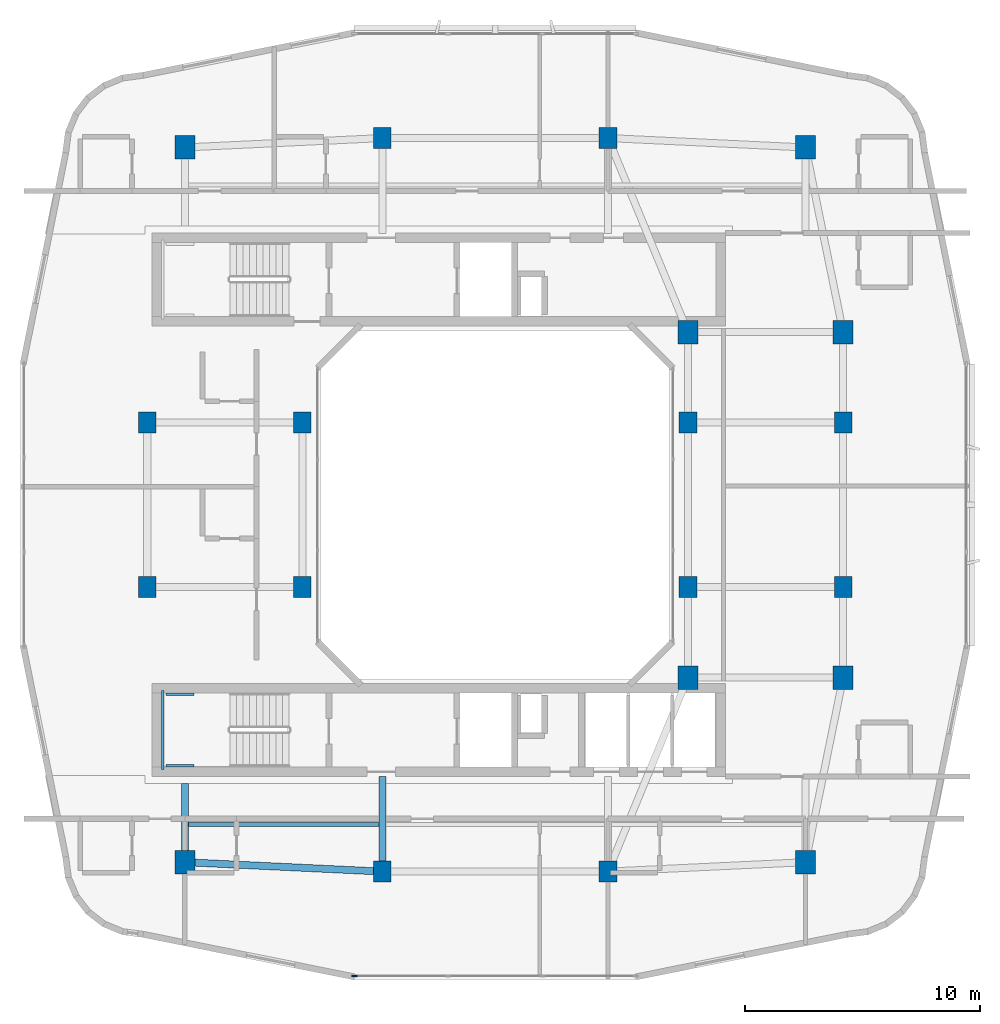
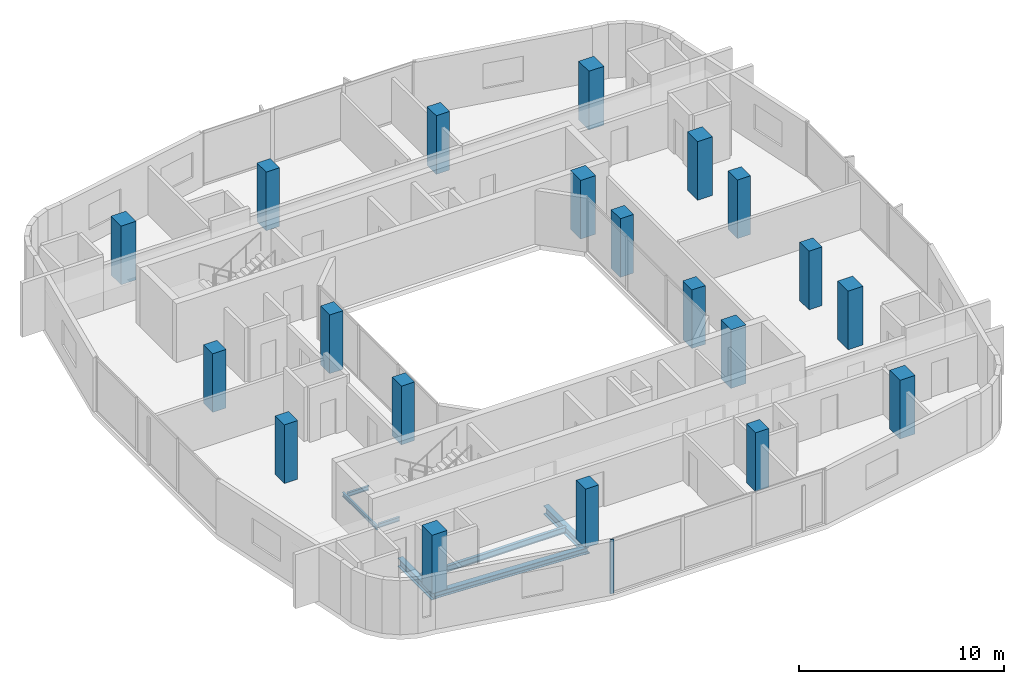
# One storey, part 1 of 14: 20 columns, 7 beams, 1 member, 1 element without a shape of its own.
"""IFC4 building model written with IfcOpenShell, lengths in metres."""

from ifc_helpers import new_model, si_unit, derived_unit, direction, frame, origin, origin_2d, place, context, subcontext, project, spatial, rectangle, i_section, extrude, material, layer, layer_set, material_profile, profile_set, type_object, element, aggregate, save


model = new_model("IFC4")

# Units and contexts
model_context = context("Model", 3, precision=1e-05, world=origin(), true_north=direction((0.0, 1.0)))
body_context = subcontext(model_context, "Body", "Model", "MODEL_VIEW")
ifc_project = project(units=[si_unit("LENGTHUNIT", "METRE"), si_unit("AREAUNIT", "SQUARE_METRE"), si_unit("VOLUMEUNIT", "CUBIC_METRE"), si_unit("PLANEANGLEUNIT", "RADIAN"), si_unit("MASSUNIT", "GRAM", prefix="KILO"), derived_unit("THERMALTRANSMITTANCEUNIT", [(si_unit("POWERUNIT", "WATT"), 1), (si_unit("LENGTHUNIT", "METRE"), -2), (si_unit("THERMODYNAMICTEMPERATUREUNIT", "KELVIN"), -1)])], contexts=[model_context])

# Site, building, storey
site_placement = place(None, origin())
site = spatial("IfcSite", under=ifc_project, at=site_placement, CompositionType="ELEMENT")
building_placement = place(site_placement, origin())
building = spatial("IfcBuilding", under=site, at=building_placement, Name="Kivonza Crest Hotel", CompositionType="ELEMENT")
storey_placement = place(building_placement, frame((0.0, 0.0, 138.0)))
storey = spatial("IfcBuildingStorey", under=building, at=storey_placement, Name="L37", CompositionType="ELEMENT", Elevation=138.0)

# Columns
ifc_material_1 = material(Name="Concrete C50/60", Category="concrete")
ifc_material_profile_1 = material_profile(ifc_material_1, rectangle(XDim=0.85009765625, YDim=1.0, at=origin_2d()), Name="RC 1000x850")
ifc_profile_set_1 = profile_set([ifc_material_profile_1], Name="Concrete C50/60")
column_type_1 = type_object("IfcColumnType", Name="CL-RC-1000x850", PredefinedType="COLUMN", material=ifc_profile_set_1)
for number, where, z_axis, x_axis, name in (
    (1, (7.800048828125, 9.800048828125, 0.0), (0.0, 0.0, 1.0), (1.0, 0.0, 0.0), "Tower T1 L37 column SW"),
    (2, (34.199951171875, 9.800048828125, 0.0), (0.0, 0.0, 1.0), (1.0, 0.0, 0.0), "Tower T1 L37 column SE"),
    (3, (34.199951171875, 40.199951171875, 0.0), (0.0, 0.0, 1.0), (1.0, 0.0, 0.0), "Tower T1 L37 column NE"),
    (4, (7.800048828125, 40.199951171875, 0.0), (0.0, 0.0, 1.0), (1.0, 0.0, 0.0), "Tower T1 L37 column NW"),
    (5, (35.800048828125, 17.64990234375, 0.0), (0.0, 0.0, 1.0), (1.0, 0.0, 0.0), "Tower T1 L37 column PSE"),
    (6, (35.800048828125, 32.35009765625, 0.0), (0.0, 0.0, 1.0), (1.0, 0.0, 0.0), "Tower T1 L37 column PNE"),
    (7, (29.199951171875, 17.64990234375, 0.0), (0.0, 0.0, 1.0), (1.0, 0.0, 0.0), "Tower T1 L37 column TSE"),
    (8, (29.199951171875, 32.35009765625, 0.0), (0.0, 0.0, 1.0), (1.0, 0.0, 0.0), "Tower T1 L37 column TNE"),
):
    element("IfcColumn", number, at=place(storey_placement, frame(where, z_axis=z_axis, x_axis=x_axis)), inside=storey, type_object=column_type_1, Name=name, PredefinedType="COLUMN", context=body_context, shape_type="SweptSolid", body=[
        extrude(rectangle(XDim=0.85009765625, YDim=1.0, at=origin_2d()), origin(), (0.0, 0.0, 1.0), 3.5),
    ])
ifc_material_profile_2 = material_profile(ifc_material_1, rectangle(XDim=0.75, YDim=0.89990234375, at=origin_2d()), Name="RC 900x750")
ifc_profile_set_2 = profile_set([ifc_material_profile_2], Name="Concrete C50/60")
column_type_2 = type_object("IfcColumnType", Name="CL-RC-900x750", PredefinedType="COLUMN", material=ifc_profile_set_2)
for number, where, z_axis, x_axis, name in (
    (9, (16.199951171875, 9.39990234375, 0.0), (0.0, 0.0, 1.0), (1.0, 0.0, 0.0), "Tower T1 L37 column S1"),
    (10, (25.800048828125, 9.39990234375, 0.0), (0.0, 0.0, 1.0), (1.0, 0.0, 0.0), "Tower T1 L37 column S2"),
    (11, (16.199951171875, 40.60009765625, 0.0), (0.0, 0.0, 1.0), (1.0, 0.0, 0.0), "Tower T1 L37 column N1"),
    (12, (25.800048828125, 40.60009765625, 0.0), (0.0, 0.0, 1.0), (1.0, 0.0, 0.0), "Tower T1 L37 column N2"),
    (13, (6.199951171875, 21.5, 0.0), (0.0, 0.0, 1.0), (1.0, 0.0, 0.0), "Tower T1 L37 column W1"),
    (14, (6.199951171875, 28.5, 0.0), (0.0, 0.0, 1.0), (1.0, 0.0, 0.0), "Tower T1 L37 column W2"),
    (15, (35.800048828125, 21.5, 0.0), (0.0, 0.0, 1.0), (1.0, 0.0, 0.0), "Tower T1 L37 column E1"),
    (16, (35.800048828125, 28.5, 0.0), (0.0, 0.0, 1.0), (1.0, 0.0, 0.0), "Tower T1 L37 column E2"),
    (17, (12.800048828125, 21.5, 0.0), (0.0, 0.0, 1.0), (1.0, 0.0, 0.0), "Tower T1 L37 column WL1"),
    (18, (12.800048828125, 28.5, 0.0), (0.0, 0.0, 1.0), (1.0, 0.0, 0.0), "Tower T1 L37 column WL2"),
    (19, (29.199951171875, 21.5, 0.0), (0.0, 0.0, 1.0), (1.0, 0.0, 0.0), "Tower T1 L37 column WR1"),
    (20, (29.199951171875, 28.5, 0.0), (0.0, 0.0, 1.0), (1.0, 0.0, 0.0), "Tower T1 L37 column WR2"),
):
    element("IfcColumn", number, at=place(storey_placement, frame(where, z_axis=z_axis, x_axis=x_axis)), inside=storey, type_object=column_type_2, Name=name, PredefinedType="COLUMN", context=body_context, shape_type="SweptSolid", body=[
        extrude(rectangle(XDim=0.75, YDim=0.89990234375, at=origin_2d()), origin(), (0.0, 0.0, 1.0), 3.5),
    ])

# Beams
ifc_material_2 = material(Name="Steel S355", Category="steel")
ifc_material_profile_3 = material_profile(ifc_material_2, i_section(OverallWidth=0.300048828125, OverallDepth=0.360107421875, WebThickness=0.012451171875, FlangeThickness=0.0224609375, FilletRadius=0.027099609375, at=origin_2d()), Name="HEB 360")
ifc_profile_set_3 = profile_set([ifc_material_profile_3], Name="Steel S355")
beam_type_1 = type_object("IfcBeamType", Name="BM-HEB360", PredefinedType="SPANDREL", material=ifc_profile_set_3)
beam_1_placement = place(storey_placement, frame((7.800048828125, 9.800048828125, -0.4599609375), z_axis=(0.998867283688, -0.047583080799, 0.0), x_axis=(0.047583080799, 0.998867283688, 0.0)))
element("IfcBeam", 21, at=beam_1_placement, inside=storey, type_object=beam_type_1, Name="Tower T1 L37 perimeter spandrel SW-S1", PredefinedType="SPANDREL", context=body_context, shape_type="SweptSolid", body=[
    extrude(i_section(OverallWidth=0.300048828125, OverallDepth=0.360107421875, WebThickness=0.012451171875, FlangeThickness=0.0224609375, FilletRadius=0.027099609375, at=origin_2d()), origin(), (0.0, 0.0, 1.0), 8.409423828125),
])
ifc_material_profile_4 = material_profile(ifc_material_2, i_section(OverallWidth=0.300048828125, OverallDepth=0.5, WebThickness=0.014404296875, FlangeThickness=0.028076171875, FilletRadius=0.027099609375, at=origin_2d()), Name="HEB 500")
ifc_profile_set_4 = profile_set([ifc_material_profile_4], Name="Steel S355")
beam_type_2 = type_object("IfcBeamType", Name="BM-HEB500", PredefinedType="BEAM", material=ifc_profile_set_4)
beam_2_placement = place(storey_placement, frame((7.800048828125, 9.800048828125, -0.530029296875), z_axis=(0.0, 1.0, 0.0), x_axis=(-1.0, 0.0, 0.0)))
element("IfcBeam", 22, at=beam_2_placement, inside=storey, type_object=beam_type_2, Name="Tower T1 L37 radial core girder RSW", PredefinedType="BEAM", context=body_context, shape_type="SweptSolid", body=[
    extrude(i_section(OverallWidth=0.300048828125, OverallDepth=0.5, WebThickness=0.014404296875, FlangeThickness=0.028076171875, FilletRadius=0.027099609375, at=origin_2d()), origin(), (0.0, 0.0, 1.0), 3.349853515625),
])
beam_3_placement = place(storey_placement, frame((16.199951171875, 9.39990234375, -0.530029296875), z_axis=(0.0, 1.0, 0.0), x_axis=(-1.0, 0.0, 0.0)))
element("IfcBeam", 23, at=beam_3_placement, inside=storey, type_object=beam_type_2, Name="Tower T1 L37 radial core girder RS1", PredefinedType="BEAM", context=body_context, shape_type="SweptSolid", body=[
    extrude(i_section(OverallWidth=0.300048828125, OverallDepth=0.5, WebThickness=0.014404296875, FlangeThickness=0.028076171875, FilletRadius=0.027099609375, at=origin_2d()), origin(), (0.0, 0.0, 1.0), 4.050048828125),
])
ifc_material_profile_5 = material_profile(ifc_material_2, i_section(OverallWidth=0.169921875, OverallDepth=0.360107421875, WebThickness=0.008056640625, FlangeThickness=0.0126953125, FilletRadius=0.01806640625, at=origin_2d()), Name="IPE 360")
ifc_profile_set_5 = profile_set([ifc_material_profile_5], Name="Steel S355")
beam_type_3 = type_object("IfcBeamType", Name="BM-IPE360", PredefinedType="JOIST", material=ifc_profile_set_5)
beam_4_placement = place(storey_placement, frame((7.8798828125, 11.39990234375, -0.4599609375), z_axis=(1.0, 0.0, 0.0), x_axis=(0.0, 1.0, 0.0)))
element("IfcBeam", 24, at=beam_4_placement, inside=storey, type_object=beam_type_3, Name="Tower T1 L37 South-West floor joist", PredefinedType="JOIST", context=body_context, shape_type="SweptSolid", body=[
    extrude(i_section(OverallWidth=0.169921875, OverallDepth=0.360107421875, WebThickness=0.008056640625, FlangeThickness=0.0126953125, FilletRadius=0.01806640625, at=origin_2d()), origin(), (0.0, 0.0, 1.0), 8.240234375),
])
ifc_material_profile_6 = material_profile(ifc_material_2, i_section(OverallWidth=0.1201171875, OverallDepth=0.239990234375, WebThickness=0.006103515625, FlangeThickness=0.009765625, FilletRadius=0.014892578125, at=origin_2d()), Name="IPE 240")
ifc_profile_set_6 = profile_set([ifc_material_profile_6], Name="Steel S355")
beam_type_4 = type_object("IfcBeamType", Name="BM-LLDG-240", PredefinedType="BEAM", material=ifc_profile_set_6)
beam_5_placement = place(storey_placement, frame((6.860107421875, 13.739990234375, 1.429931640625), z_axis=(0.0, 1.0, 0.0), x_axis=(-1.0, 0.0, 0.0)))
element("IfcBeam", 25, at=beam_5_placement, inside=storey, type_object=beam_type_4, Name="Stair ST-T1-S L37 West landing corbel", PredefinedType="BEAM", context=body_context, shape_type="SweptSolid", body=[
    extrude(i_section(OverallWidth=0.1201171875, OverallDepth=0.239990234375, WebThickness=0.006103515625, FlangeThickness=0.009765625, FilletRadius=0.014892578125, at=origin_2d()), origin(), (0.0, 0.0, 1.0), 3.360107421875),
])
for number, where, z_axis, x_axis, name in (
    (26, (6.989990234375, 13.89990234375, 1.429931640625), (1.0, 0.0, 0.0), (0.0, 1.0, 0.0), "Stair ST-T1-S L37 South landing corbel"),
    (27, (6.989990234375, 16.93994140625, 1.429931640625), (1.0, 0.0, 0.0), (0.0, 1.0, 0.0), "Stair ST-T1-S L37 North landing corbel"),
):
    element("IfcBeam", number, at=place(storey_placement, frame(where, z_axis=z_axis, x_axis=x_axis)), inside=storey, type_object=beam_type_4, Name=name, PredefinedType="BEAM", context=body_context, shape_type="SweptSolid", body=[
        extrude(i_section(OverallWidth=0.1201171875, OverallDepth=0.239990234375, WebThickness=0.006103515625, FlangeThickness=0.009765625, FilletRadius=0.014892578125, at=origin_2d()), origin(), (0.0, 0.0, 1.0), 1.2099609375),
    ])

# Curtain wall, member
ifc_material_3 = material(Name="Anodised bronze aluminium and low-E double glazing", Category="aluminium")
ifc_layer = layer(ifc_material_3, 0.179931640625)
ifc_layer_set = layer_set([ifc_layer], Name="Anodised bronze aluminium and low-E double glazing")
curtain_wall_type = type_object("IfcCurtainWallType", Name="CW-SYS-3", PredefinedType="NOTDEFINED", material=ifc_layer_set)
curtain_wall_placement = place(storey_placement, origin())
curtain_wall = element("IfcCurtainWall", 28, at=curtain_wall_placement, inside=storey, type_object=curtain_wall_type, Name="L37 unitised curtain wall CW-T1-L37-08", PredefinedType="NOTDEFINED")
ifc_material_4 = material(Name="Anodised bronze aluminium", Category="aluminium")
ifc_material_profile_7 = material_profile(ifc_material_4, rectangle(XDim=0.074951171875, YDim=0.219970703125, at=origin_2d()), Name="CW-M 75x220")
ifc_profile_set_7 = profile_set([ifc_material_profile_7], Name="Anodised bronze aluminium")
member_type = type_object("IfcMemberType", Name="CW-MUL-75x220", PredefinedType="MULLION", material=ifc_profile_set_7)
member_placement = place(storey_placement, frame((15.017578125, 4.9599609375, 0.0), z_axis=(0.0, 0.0, 1.0), x_axis=(0.0, 1.0, 0.0)))
member = element("IfcMember", 29, at=member_placement, type_object=member_type, Name="CW-3 mullion 1", PredefinedType="MULLION", context=body_context, shape_type="SweptSolid", body=[
    extrude(rectangle(XDim=0.074951171875, YDim=0.219970703125, at=origin_2d()), origin(), (0.0, 0.0, 1.0), 3.219970703125),
])
aggregate(curtain_wall, [member])

save(model, "model.ifc")
